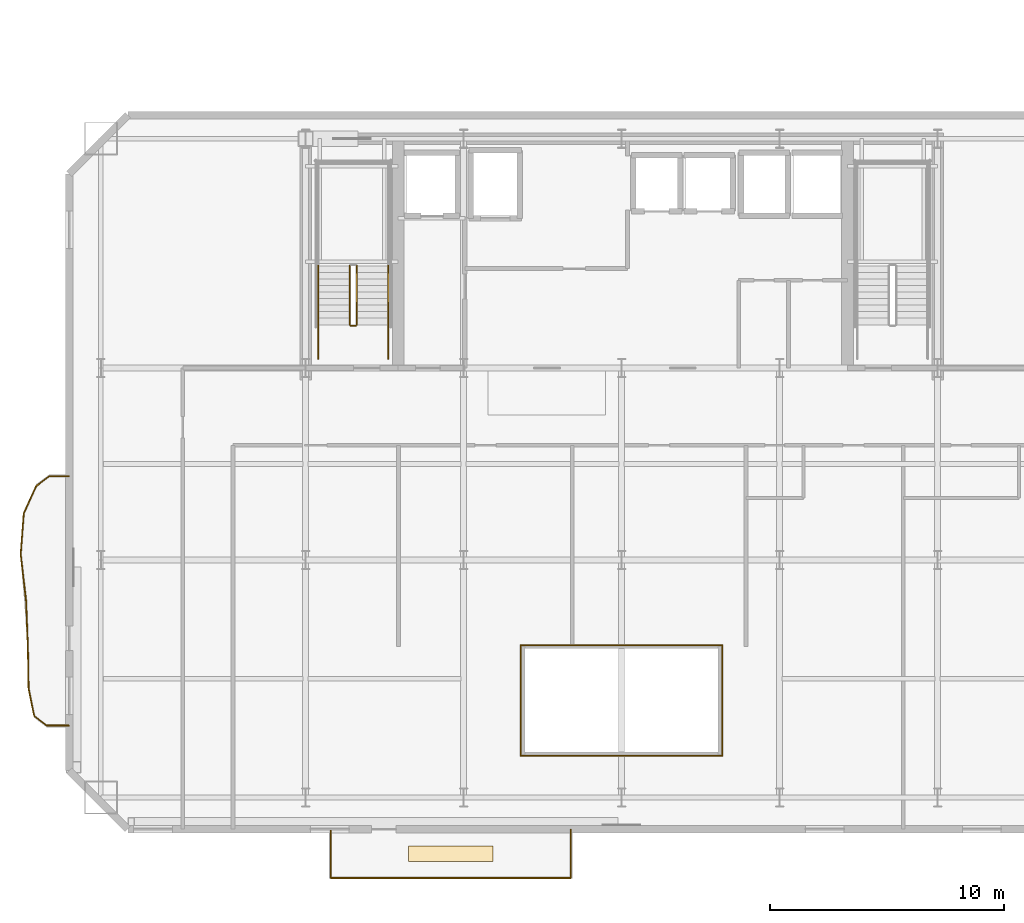
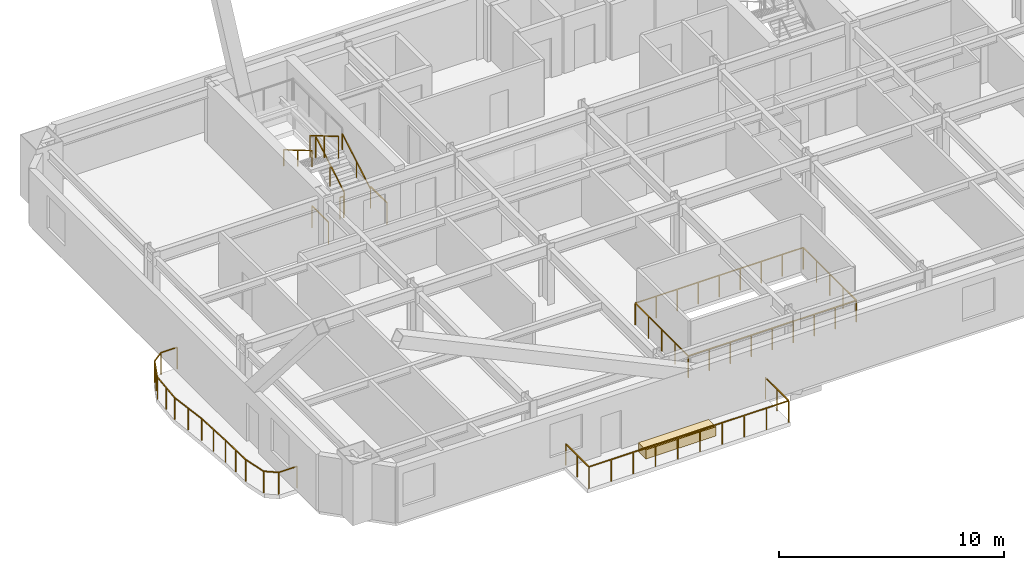
# One storey, part 11 of 15: 24 railings, 1 covering.
"""IFC4 building model written with IfcOpenShell, lengths in metres."""

import ifcopenshell
import ifcopenshell.guid

model = None  # the IFC model being written
_history = None  # IfcOwnerHistory: only IFC2X3 demands one
_inside = {}  # id of a spatial element -> (the spatial element, [elements in it])
_under = {}  # id of a project, library or spatial element -> (it, [spatial elements below it])
_declared = {}  # id of a project -> (the project, [libraries it declares])
_typed = {}  # id of a type object -> (the type object, [elements of that type])
_made_of = {}  # id of a material, layer set ... -> (it, [elements and type objects made of it])


def new_model(schema):
    """Start an empty IFC model of exactly this schema.

    Asked for "IFC4X3", IfcOpenShell would pick the latest addendum, in which some entities
    have other attributes; the version numbers below select the first issue.
    IFC2X3 requires an IfcOwnerHistory on every rooted entity: one is made here for all.
    """
    global model, _history
    if schema == "IFC4X3":
        model = ifcopenshell.file(schema_version=(4, 3, 0, 0))
    else:
        model = ifcopenshell.file(schema=schema)
    _inside.clear()
    _under.clear()
    _declared.clear()
    _typed.clear()
    _made_of.clear()
    _history = None
    if model.schema == "IFC2X3":
        org = make("IfcOrganization", Name="unknown")
        user = make(
            "IfcPersonAndOrganization",
            ThePerson=make("IfcPerson", FamilyName="unknown"),
            TheOrganization=org,
        )
        app = make(
            "IfcApplication",
            ApplicationDeveloper=org,
            Version="unknown",
            ApplicationFullName="unknown",
            ApplicationIdentifier="unknown",
        )
        _history = make(
            "IfcOwnerHistory",
            OwningUser=user,
            OwningApplication=app,
            ChangeAction="ADDED",
            CreationDate=0,
        )
    return model


def make(cls, **values):
    """One entity of the class cls with the attributes given. An attribute that is None is left unset."""
    return model.create_entity(
        cls, **{name: value for name, value in values.items() if value is not None}
    )


def rooted(cls, **values):
    """An entity with a GlobalId (a new one), such as an element, a storey or a relation."""
    return make(cls, GlobalId=ifcopenshell.guid.new(), OwnerHistory=_history, **values)


def si_unit(unit_type, name, prefix=None):
    """IfcSIUnit, for example si_unit("LENGTHUNIT", "METRE", prefix="MILLI")."""
    return make("IfcSIUnit", UnitType=unit_type, Prefix=prefix, Name=name)


def assignment(units):
    """IfcUnitAssignment: the units of a project."""
    return None if units is None else make("IfcUnitAssignment", Units=units)


def point(xyz):
    """IfcCartesianPoint."""
    return None if xyz is None else make("IfcCartesianPoint", Coordinates=xyz)


def direction(xyz):
    """IfcDirection."""
    return None if xyz is None else make("IfcDirection", DirectionRatios=xyz)


def frame(location, z_axis=None, x_axis=None):
    """IfcAxis2Placement3D, a coordinate frame: its origin and axes. An axis left out is left unset."""
    return make(
        "IfcAxis2Placement3D",
        Location=point(location),
        Axis=direction(z_axis),
        RefDirection=direction(x_axis),
    )


def frame_2d(location, x_axis=None):
    """IfcAxis2Placement2D, a coordinate frame in the plane: its origin and x axis."""
    return make(
        "IfcAxis2Placement2D", Location=point(location), RefDirection=direction(x_axis)
    )


def origin():
    """The frame at (0, 0, 0) with its axes left unset."""
    return frame((0.0, 0.0, 0.0))


def origin_2d():
    """The frame at (0, 0) in the plane with its x axis left unset."""
    return frame_2d((0.0, 0.0))


def place(relative_to, where):
    """IfcLocalPlacement: puts the frame where relative to a parent placement (None: the world)."""
    return make(
        "IfcLocalPlacement", PlacementRelTo=relative_to, RelativePlacement=where
    )


def context(
    kind, dimensions, precision=None, world=None, true_north=None, identifier=None
):
    """IfcGeometricRepresentationContext, for example the 3D "Model" context."""
    return make(
        "IfcGeometricRepresentationContext",
        ContextIdentifier=identifier,
        ContextType=kind,
        CoordinateSpaceDimension=dimensions,
        Precision=precision,
        WorldCoordinateSystem=world,
        TrueNorth=true_north,
    )


def subcontext(parent, identifier, kind, view, scale=None):
    """IfcGeometricRepresentationSubContext, for example "Body" below "Model"."""
    return make(
        "IfcGeometricRepresentationSubContext",
        ContextIdentifier=identifier,
        ContextType=kind,
        ParentContext=parent,
        TargetScale=scale,
        TargetView=view,
    )


def project(units=None, contexts=None):
    """IfcProject with its units and contexts."""
    return rooted(
        "IfcProject",
        Name="project",
        RepresentationContexts=contexts,
        UnitsInContext=assignment(units),
    )


def spatial(cls, under=None, at=None, **own):
    """A site, building, storey or space (cls), placed at a placement, below another one or the project."""
    s = rooted(cls, ObjectPlacement=at, **own)
    if under is not None:
        _under.setdefault(under.id(), (under, []))[1].append(s)
    return s


def profile(cls, at=None, kind="AREA", **sizes):
    """A parametric profile (cls). Its sizes go by their IFC names, for example OverallWidth=200.0."""
    return make(cls, ProfileType=kind, Position=at, **sizes)


def rectangle(**sizes):
    """IfcRectangleProfileDef."""
    return profile("IfcRectangleProfileDef", **sizes)


def extrude(swept, where, along, depth):
    """IfcExtrudedAreaSolid: the profile swept, set in the frame where, extruded along a direction by depth."""
    return make(
        "IfcExtrudedAreaSolid",
        SweptArea=swept,
        Position=where,
        ExtrudedDirection=direction(along),
        Depth=depth,
    )


def shape(context_of_items, identifier, shape_type, items):
    """IfcShapeRepresentation: the items that make up one representation, for example the "Body"."""
    return make(
        "IfcShapeRepresentation",
        ContextOfItems=context_of_items,
        RepresentationIdentifier=identifier,
        RepresentationType=shape_type,
        Items=items,
    )


def material(Name=None, Category=None):
    """IfcMaterial."""
    return make("IfcMaterial", Name=Name, Category=Category)


def layer(
    of_material, thickness, ventilated=None, Name=None, Category=None, Priority=None
):
    """IfcMaterialLayer: one layer of a wall or slab, of a material (None: an air gap)."""
    return make(
        "IfcMaterialLayer",
        Material=of_material,
        LayerThickness=thickness,
        IsVentilated=ventilated,
        Name=Name,
        Category=Category,
        Priority=Priority,
    )


def layer_set(layers, Name=None):
    """IfcMaterialLayerSet."""
    return make("IfcMaterialLayerSet", MaterialLayers=layers, LayerSetName=Name)


def made_of(thing, what):
    """Note that an element or type object is made of a material, layer set ...; save() writes the relation."""
    if what is not None:
        _made_of.setdefault(what.id(), (what, []))[1].append(thing)
    return thing


def type_object(cls, material=None, **own):
    """A type object (cls), such as IfcWallType, which elements share."""
    return made_of(rooted(cls, **own), material)


def element(
    cls,
    number,
    at=None,
    inside=None,
    cuts=None,
    type_object=None,
    material=None,
    context=None,
    identifier="Body",
    shape_type=None,
    held_by="IfcProductDefinitionShape",
    body=None,
    shapes=None,
    **own,
):
    """One element of the class cls, such as IfcWall. Its Tag is "e" and its number.

    at: its placement. inside: the storey or other place that contains it. cuts: it is an
    opening in that element (IfcRelVoidsElement). A single representation is given by context,
    identifier, shape_type and body (its items); several are given by shapes. held_by: the class
    of the entity that holds the representations. save() writes the other relations.
    """
    e = rooted(cls, Tag="e%d" % number, ObjectPlacement=at, **own)
    if body is not None:
        shapes = [shape(context, identifier, shape_type, body)]
    if shapes is not None:
        e.Representation = make(held_by, Representations=shapes)
    if inside is not None:
        _inside.setdefault(inside.id(), (inside, []))[1].append(e)
    if cuts is not None:
        rooted(
            "IfcRelVoidsElement", RelatingBuildingElement=cuts, RelatedOpeningElement=e
        )
    if type_object is not None:
        _typed.setdefault(type_object.id(), (type_object, []))[1].append(e)
    return made_of(e, material)


def aggregate(whole, parts):
    """IfcRelAggregates: a whole, such as a stair, and the parts it consists of."""
    return rooted("IfcRelAggregates", RelatingObject=whole, RelatedObjects=parts)


def save(model, path):
    """Write the relations noted so far, then the file.

    IfcRelAggregates (storeys below a building ...), IfcRelContainedInSpatialStructure (elements
    in a storey), IfcRelDefinesByType, IfcRelAssociatesMaterial and IfcRelDeclares: one each for
    every whole, place, type object, material and project.
    """
    for whole, parts in _under.values():
        aggregate(whole, parts)
    for where, things in _inside.values():
        rooted(
            "IfcRelContainedInSpatialStructure",
            RelatedElements=things,
            RelatingStructure=where,
        )
    for kind, things in _typed.values():
        rooted("IfcRelDefinesByType", RelatedObjects=things, RelatingType=kind)
    for what, things in _made_of.values():
        rooted("IfcRelAssociatesMaterial", RelatedObjects=things, RelatingMaterial=what)
    for by, libraries in _declared.values():
        rooted("IfcRelDeclares", RelatingContext=by, RelatedDefinitions=libraries)
    model.write(path)


model = new_model("IFC4")

# Units and contexts
model_context = context("Model", 3, precision=1e-05, world=origin(), true_north=direction((0.0, 1.0)))
body_context = subcontext(model_context, "Body", "Model", "MODEL_VIEW")
ifc_project = project(units=[si_unit("LENGTHUNIT", "METRE"), si_unit("AREAUNIT", "SQUARE_METRE"), si_unit("VOLUMEUNIT", "CUBIC_METRE"), si_unit("PLANEANGLEUNIT", "RADIAN"), si_unit("MASSUNIT", "GRAM", prefix="KILO")], contexts=[model_context])

# Site, building, storey
site_placement = place(None, origin())
site = spatial("IfcSite", under=ifc_project, at=site_placement, CompositionType="ELEMENT")
building_placement = place(site_placement, origin())
building = spatial("IfcBuilding", under=site, at=building_placement, Name="Haevon Station Towers", CompositionType="ELEMENT")
storey_placement = place(building_placement, frame((0.0, 0.0, 103.199951171875)))
storey = spatial("IfcBuildingStorey", under=building, at=storey_placement, Name="L27", CompositionType="ELEMENT", Elevation=103.199951171875)

# Railings
ifc_material_1 = material(Name="Steel S355", Category="steel")
railing_type_1 = type_object("IfcRailingType", Name="BAL-ATR1200", PredefinedType="BALUSTRADE", material=ifc_material_1)
railing_1_placement = place(storey_placement, frame((33.19482421875, 21.642333984375, 0.0)))
element("IfcRailing", 1, at=railing_1_placement, inside=storey, type_object=railing_type_1, Name="L27 Atrium Void Balustrade 1", PredefinedType="BALUSTRADE", context=body_context, shape_type="SweptSolid", body=[
    extrude(rectangle(XDim=0.048095703125, YDim=0.048095703125, at=origin_2d()), frame((0.0, 0.0, 1.17578125), z_axis=(1.0, 0.0, 0.0), x_axis=(0.0, 1.0, 0.0)), (0.0, 0.0, 1.0), 8.6103515625),
    extrude(rectangle(XDim=0.0419921875, YDim=0.0419921875, at=origin_2d()), origin(), (0.0, 0.0, 1.0), 1.15185546875),
    extrude(rectangle(XDim=0.0419921875, YDim=0.0419921875, at=origin_2d()), frame((1.076171875, 0.0, 0.0)), (0.0, 0.0, 1.0), 1.15185546875),
    extrude(rectangle(XDim=0.0419921875, YDim=0.0419921875, at=origin_2d()), frame((2.152587890625, 0.0, 0.0)), (0.0, 0.0, 1.0), 1.15185546875),
    extrude(rectangle(XDim=0.0419921875, YDim=0.0419921875, at=origin_2d()), frame((3.22900390625, 0.0, 0.0)), (0.0, 0.0, 1.0), 1.15185546875),
    extrude(rectangle(XDim=0.0419921875, YDim=0.0419921875, at=origin_2d()), frame((4.30517578125, 0.0, 0.0)), (0.0, 0.0, 1.0), 1.15185546875),
    extrude(rectangle(XDim=0.0419921875, YDim=0.0419921875, at=origin_2d()), frame((5.38134765625, 0.0, 0.0)), (0.0, 0.0, 1.0), 1.15185546875),
    extrude(rectangle(XDim=0.0419921875, YDim=0.0419921875, at=origin_2d()), frame((6.457763671875, 0.0, 0.0)), (0.0, 0.0, 1.0), 1.15185546875),
    extrude(rectangle(XDim=0.0419921875, YDim=0.0419921875, at=origin_2d()), frame((7.5341796875, 0.0, 0.0)), (0.0, 0.0, 1.0), 1.15185546875),
    extrude(rectangle(XDim=0.0419921875, YDim=0.0419921875, at=origin_2d()), frame((8.6103515625, 0.0, 0.0)), (0.0, 0.0, 1.0), 1.15185546875),
])
railing_2_placement = place(storey_placement, frame((41.80517578125, 21.642333984375, 0.0)))
element("IfcRailing", 2, at=railing_2_placement, inside=storey, type_object=railing_type_1, Name="L27 Atrium Void Balustrade 2", PredefinedType="BALUSTRADE", context=body_context, shape_type="SweptSolid", body=[
    extrude(rectangle(XDim=0.048095703125, YDim=0.048095703125, at=origin_2d()), frame((0.0, 0.0, 1.17578125), z_axis=(0.0, 1.0, 0.0), x_axis=(-1.0, 0.0, 0.0)), (0.0, 0.0, 1.0), 4.71533203125),
    extrude(rectangle(XDim=0.0419921875, YDim=0.0419921875, at=origin_2d()), origin(), (0.0, 0.0, 1.0), 1.15185546875),
    extrude(rectangle(XDim=0.0419921875, YDim=0.0419921875, at=origin_2d()), frame((0.0, 1.1787109375, 0.0)), (0.0, 0.0, 1.0), 1.15185546875),
    extrude(rectangle(XDim=0.0419921875, YDim=0.0419921875, at=origin_2d()), frame((0.0, 2.357666015625, 0.0)), (0.0, 0.0, 1.0), 1.15185546875),
    extrude(rectangle(XDim=0.0419921875, YDim=0.0419921875, at=origin_2d()), frame((0.0, 3.53662109375, 0.0)), (0.0, 0.0, 1.0), 1.15185546875),
    extrude(rectangle(XDim=0.0419921875, YDim=0.0419921875, at=origin_2d()), frame((0.0, 4.71533203125, 0.0)), (0.0, 0.0, 1.0), 1.15185546875),
])
railing_3_placement = place(storey_placement, frame((41.80517578125, 26.357666015625, 0.0)))
element("IfcRailing", 3, at=railing_3_placement, inside=storey, type_object=railing_type_1, Name="L27 Atrium Void Balustrade 3", PredefinedType="BALUSTRADE", context=body_context, shape_type="SweptSolid", body=[
    extrude(rectangle(XDim=0.048095703125, YDim=0.048095703125, at=origin_2d()), frame((0.0, 0.0, 1.17578125), z_axis=(-1.0, 0.0, 0.0), x_axis=(0.0, -1.0, 0.0)), (0.0, 0.0, 1.0), 8.6103515625),
    extrude(rectangle(XDim=0.0419921875, YDim=0.0419921875, at=origin_2d()), origin(), (0.0, 0.0, 1.0), 1.15185546875),
    extrude(rectangle(XDim=0.0419921875, YDim=0.0419921875, at=origin_2d()), frame((-1.076171875, 0.0, 0.0)), (0.0, 0.0, 1.0), 1.15185546875),
    extrude(rectangle(XDim=0.0419921875, YDim=0.0419921875, at=origin_2d()), frame((-2.152587890625, 0.0, 0.0)), (0.0, 0.0, 1.0), 1.15185546875),
    extrude(rectangle(XDim=0.0419921875, YDim=0.0419921875, at=origin_2d()), frame((-3.22900390625, 0.0, 0.0)), (0.0, 0.0, 1.0), 1.15185546875),
    extrude(rectangle(XDim=0.0419921875, YDim=0.0419921875, at=origin_2d()), frame((-4.30517578125, 0.0, 0.0)), (0.0, 0.0, 1.0), 1.15185546875),
    extrude(rectangle(XDim=0.0419921875, YDim=0.0419921875, at=origin_2d()), frame((-5.38134765625, 0.0, 0.0)), (0.0, 0.0, 1.0), 1.15185546875),
    extrude(rectangle(XDim=0.0419921875, YDim=0.0419921875, at=origin_2d()), frame((-6.457763671875, 0.0, 0.0)), (0.0, 0.0, 1.0), 1.15185546875),
    extrude(rectangle(XDim=0.0419921875, YDim=0.0419921875, at=origin_2d()), frame((-7.5341796875, 0.0, 0.0)), (0.0, 0.0, 1.0), 1.15185546875),
    extrude(rectangle(XDim=0.0419921875, YDim=0.0419921875, at=origin_2d()), frame((-8.6103515625, 0.0, 0.0)), (0.0, 0.0, 1.0), 1.15185546875),
])
railing_4_placement = place(storey_placement, frame((33.19482421875, 26.357666015625, 0.0)))
element("IfcRailing", 4, at=railing_4_placement, inside=storey, type_object=railing_type_1, Name="L27 Atrium Void Balustrade 4", PredefinedType="BALUSTRADE", context=body_context, shape_type="SweptSolid", body=[
    extrude(rectangle(XDim=0.048095703125, YDim=0.048095703125, at=origin_2d()), frame((0.0, 0.0, 1.17578125), z_axis=(0.0, -1.0, 0.0), x_axis=(1.0, 0.0, 0.0)), (0.0, 0.0, 1.0), 4.71533203125),
    extrude(rectangle(XDim=0.0419921875, YDim=0.0419921875, at=origin_2d()), origin(), (0.0, 0.0, 1.0), 1.15185546875),
    extrude(rectangle(XDim=0.0419921875, YDim=0.0419921875, at=origin_2d()), frame((0.0, -1.1787109375, 0.0)), (0.0, 0.0, 1.0), 1.15185546875),
    extrude(rectangle(XDim=0.0419921875, YDim=0.0419921875, at=origin_2d()), frame((0.0, -2.357666015625, 0.0)), (0.0, 0.0, 1.0), 1.15185546875),
    extrude(rectangle(XDim=0.0419921875, YDim=0.0419921875, at=origin_2d()), frame((0.0, -3.53662109375, 0.0)), (0.0, 0.0, 1.0), 1.15185546875),
    extrude(rectangle(XDim=0.0419921875, YDim=0.0419921875, at=origin_2d()), frame((0.0, -4.71533203125, 0.0)), (0.0, 0.0, 1.0), 1.15185546875),
])
railing_type_2 = type_object("IfcRailingType", Name="GRD-EXT1200", PredefinedType="GUARDRAIL", material=ifc_material_1)
railing_5_placement = place(storey_placement, frame((13.87646484375, 33.572265625, 0.0)))
element("IfcRailing", 5, at=railing_5_placement, inside=storey, type_object=railing_type_2, Name="L27 Perimeter Guardrail 1", PredefinedType="GUARDRAIL", context=body_context, shape_type="SweptSolid", body=[
    extrude(rectangle(XDim=0.048095703125, YDim=0.048095703125, at=origin_2d()), frame((0.0, 0.0, 1.17578125), z_axis=(-0.999997283225, -0.002330995998, 0.0), x_axis=(0.002330995998, -0.999997283225, 0.0)), (0.0, 0.0, 1.0), 0.837890625),
    extrude(rectangle(XDim=0.0419921875, YDim=0.0419921875, at=origin_2d()), origin(), (0.0, 0.0, 1.0), 1.15185546875),
    extrude(rectangle(XDim=0.0419921875, YDim=0.0419921875, at=origin_2d()), frame((-0.837890625, -0.001953125, 0.0)), (0.0, 0.0, 1.0), 1.15185546875),
])
railing_6_placement = place(storey_placement, frame((13.03857421875, 33.5703125, 0.0)))
element("IfcRailing", 6, at=railing_6_placement, inside=storey, type_object=railing_type_2, Name="L27 Perimeter Guardrail 2", PredefinedType="GUARDRAIL", context=body_context, shape_type="SweptSolid", body=[
    extrude(rectangle(XDim=0.048095703125, YDim=0.048095703125, at=origin_2d()), frame((0.0, 0.0, 1.17578125), z_axis=(-0.801952764523, -0.597387448374, 0.0), x_axis=(0.597387448374, -0.801952764523, 0.0)), (0.0, 0.0, 1.0), 0.688720703125),
    extrude(rectangle(XDim=0.0419921875, YDim=0.0419921875, at=origin_2d()), origin(), (0.0, 0.0, 1.0), 1.15185546875),
    extrude(rectangle(XDim=0.0419921875, YDim=0.0419921875, at=origin_2d()), frame((-0.55224609375, -0.411376953125, 0.0)), (0.0, 0.0, 1.0), 1.15185546875),
])
railing_7_placement = place(storey_placement, frame((12.486328125, 33.158935546875, 0.0)))
element("IfcRailing", 7, at=railing_7_placement, inside=storey, type_object=railing_type_2, Name="L27 Perimeter Guardrail 3", PredefinedType="GUARDRAIL", context=body_context, shape_type="SweptSolid", body=[
    extrude(rectangle(XDim=0.048095703125, YDim=0.048095703125, at=origin_2d()), frame((0.0, 0.0, 1.17578125), z_axis=(-0.413759985139, -0.910386003131, 0.0), x_axis=(0.910386003131, -0.413759985139, 0.0)), (0.0, 0.0, 1.0), 1.28466796875),
    extrude(rectangle(XDim=0.0419921875, YDim=0.0419921875, at=origin_2d()), origin(), (0.0, 0.0, 1.0), 1.15185546875),
    extrude(rectangle(XDim=0.0419921875, YDim=0.0419921875, at=origin_2d()), frame((-0.265625, -0.584716796875, 0.0)), (0.0, 0.0, 1.0), 1.15185546875),
    extrude(rectangle(XDim=0.0419921875, YDim=0.0419921875, at=origin_2d()), frame((-0.531494140625, -1.16943359375, 0.0)), (0.0, 0.0, 1.0), 1.15185546875),
])
railing_8_placement = place(storey_placement, frame((11.954833984375, 31.989501953125, 0.0)))
element("IfcRailing", 8, at=railing_8_placement, inside=storey, type_object=railing_type_2, Name="L27 Perimeter Guardrail 4", PredefinedType="GUARDRAIL", context=body_context, shape_type="SweptSolid", body=[
    extrude(rectangle(XDim=0.048095703125, YDim=0.048095703125, at=origin_2d()), frame((0.0, 0.0, 1.17578125), z_axis=(-0.074672193364, -0.997208134513, 0.0), x_axis=(0.997208134513, -0.074672193364, 0.0)), (0.0, 0.0, 1.0), 1.75244140625),
    extrude(rectangle(XDim=0.0419921875, YDim=0.0419921875, at=origin_2d()), origin(), (0.0, 0.0, 1.0), 1.15185546875),
    extrude(rectangle(XDim=0.0419921875, YDim=0.0419921875, at=origin_2d()), frame((-0.0654296875, -0.873779296875, 0.0)), (0.0, 0.0, 1.0), 1.15185546875),
    extrude(rectangle(XDim=0.0419921875, YDim=0.0419921875, at=origin_2d()), frame((-0.130859375, -1.74755859375, 0.0)), (0.0, 0.0, 1.0), 1.15185546875),
])
railing_9_placement = place(storey_placement, frame((11.823974609375, 30.241943359375, 0.0)))
element("IfcRailing", 9, at=railing_9_placement, inside=storey, type_object=railing_type_2, Name="L27 Perimeter Guardrail 5", PredefinedType="GUARDRAIL", context=body_context, shape_type="SweptSolid", body=[
    extrude(rectangle(XDim=0.048095703125, YDim=0.048095703125, at=origin_2d()), frame((0.0, 0.0, 1.17578125), z_axis=(0.114933725314, -0.993373161901, 0.0), x_axis=(0.993373161901, 0.114933725314, 0.0)), (0.0, 0.0, 1.0), 2.005126953125),
    extrude(rectangle(XDim=0.0419921875, YDim=0.0419921875, at=origin_2d()), origin(), (0.0, 0.0, 1.0), 1.15185546875),
    extrude(rectangle(XDim=0.0419921875, YDim=0.0419921875, at=origin_2d()), frame((0.115234375, -0.99609375, 0.0)), (0.0, 0.0, 1.0), 1.15185546875),
    extrude(rectangle(XDim=0.0419921875, YDim=0.0419921875, at=origin_2d()), frame((0.23046875, -1.991943359375, 0.0)), (0.0, 0.0, 1.0), 1.15185546875),
])
railing_10_placement = place(storey_placement, frame((12.054443359375, 28.25, 0.0)))
element("IfcRailing", 10, at=railing_10_placement, inside=storey, type_object=railing_type_2, Name="L27 Perimeter Guardrail 6", PredefinedType="GUARDRAIL", context=body_context, shape_type="SweptSolid", body=[
    extrude(rectangle(XDim=0.048095703125, YDim=0.048095703125, at=origin_2d()), frame((0.0, 0.0, 1.17578125), z_axis=(0.038150453475, -0.999272006463, 0.0), x_axis=(0.999272006463, 0.038150453475, 0.0)), (0.0, 0.0, 1.0), 1.990234375),
    extrude(rectangle(XDim=0.0419921875, YDim=0.0419921875, at=origin_2d()), origin(), (0.0, 0.0, 1.0), 1.15185546875),
    extrude(rectangle(XDim=0.0419921875, YDim=0.0419921875, at=origin_2d()), frame((0.0380859375, -0.994384765625, 0.0)), (0.0, 0.0, 1.0), 1.15185546875),
    extrude(rectangle(XDim=0.0419921875, YDim=0.0419921875, at=origin_2d()), frame((0.075927734375, -1.98876953125, 0.0)), (0.0, 0.0, 1.0), 1.15185546875),
])
railing_11_placement = place(storey_placement, frame((12.13037109375, 26.26123046875, 0.0)))
element("IfcRailing", 11, at=railing_11_placement, inside=storey, type_object=railing_type_2, Name="L27 Perimeter Guardrail 7", PredefinedType="GUARDRAIL", context=body_context, shape_type="SweptSolid", body=[
    extrude(rectangle(XDim=0.048095703125, YDim=0.048095703125, at=origin_2d()), frame((0.0, 0.0, 1.17578125), z_axis=(0.017572959065, -0.999845583633, 0.0), x_axis=(0.999845583633, 0.017572959065, 0.0)), (0.0, 0.0, 1.0), 1.75048828125),
    extrude(rectangle(XDim=0.0419921875, YDim=0.0419921875, at=origin_2d()), origin(), (0.0, 0.0, 1.0), 1.15185546875),
    extrude(rectangle(XDim=0.0419921875, YDim=0.0419921875, at=origin_2d()), frame((0.015380859375, -0.875, 0.0)), (0.0, 0.0, 1.0), 1.15185546875),
    extrude(rectangle(XDim=0.0419921875, YDim=0.0419921875, at=origin_2d()), frame((0.03076171875, -1.750244140625, 0.0)), (0.0, 0.0, 1.0), 1.15185546875),
])
railing_12_placement = place(storey_placement, frame((12.1611328125, 24.510986328125, 0.0)))
element("IfcRailing", 12, at=railing_12_placement, inside=storey, type_object=railing_type_2, Name="L27 Perimeter Guardrail 8", PredefinedType="GUARDRAIL", context=body_context, shape_type="SweptSolid", body=[
    extrude(rectangle(XDim=0.048095703125, YDim=0.048095703125, at=origin_2d()), frame((0.0, 0.0, 1.17578125), z_axis=(0.199771721582, -0.979842466551, 0.0), x_axis=(0.979842466551, 0.199771721582, 0.0)), (0.0, 0.0, 1.0), 1.194091796875),
    extrude(rectangle(XDim=0.0419921875, YDim=0.0419921875, at=origin_2d()), origin(), (0.0, 0.0, 1.0), 1.15185546875),
    extrude(rectangle(XDim=0.0419921875, YDim=0.0419921875, at=origin_2d()), frame((0.238525390625, -1.169921875, 0.0)), (0.0, 0.0, 1.0), 1.15185546875),
])
railing_13_placement = place(storey_placement, frame((12.399658203125, 23.341064453125, 0.0)))
element("IfcRailing", 13, at=railing_13_placement, inside=storey, type_object=railing_type_2, Name="L27 Perimeter Guardrail 9", PredefinedType="GUARDRAIL", context=body_context, shape_type="SweptSolid", body=[
    extrude(rectangle(XDim=0.048095703125, YDim=0.048095703125, at=origin_2d()), frame((0.0, 0.0, 1.17578125), z_axis=(0.79178726734, -0.61079695749, 0.0), x_axis=(0.61079695749, 0.79178726734, 0.0)), (0.0, 0.0, 1.0), 0.673095703125),
    extrude(rectangle(XDim=0.0419921875, YDim=0.0419921875, at=origin_2d()), origin(), (0.0, 0.0, 1.0), 1.15185546875),
    extrude(rectangle(XDim=0.0419921875, YDim=0.0419921875, at=origin_2d()), frame((0.532958984375, -0.4111328125, 0.0)), (0.0, 0.0, 1.0), 1.15185546875),
])
railing_14_placement = place(storey_placement, frame((12.9326171875, 22.929931640625, 0.0)))
element("IfcRailing", 14, at=railing_14_placement, inside=storey, type_object=railing_type_2, Name="L27 Perimeter Guardrail 10", PredefinedType="GUARDRAIL", context=body_context, shape_type="SweptSolid", body=[
    extrude(rectangle(XDim=0.048095703125, YDim=0.048095703125, at=origin_2d()), frame((0.0, 0.0, 1.17578125), z_axis=(0.999997290248, -0.002327981276, 0.0), x_axis=(0.002327981276, 0.999997290248, 0.0)), (0.0, 0.0, 1.0), 0.94384765625),
    extrude(rectangle(XDim=0.0419921875, YDim=0.0419921875, at=origin_2d()), origin(), (0.0, 0.0, 1.0), 1.15185546875),
    extrude(rectangle(XDim=0.0419921875, YDim=0.0419921875, at=origin_2d()), frame((0.94384765625, -0.002197265625, 0.0)), (0.0, 0.0, 1.0), 1.15185546875),
])
railing_15_placement = place(storey_placement, frame((25.078369140625, 16.415771484375, 0.0)))
element("IfcRailing", 15, at=railing_15_placement, inside=storey, type_object=railing_type_2, Name="L27 Perimeter Guardrail 1", PredefinedType="GUARDRAIL", context=body_context, shape_type="SweptSolid", body=[
    extrude(rectangle(XDim=0.048095703125, YDim=0.048095703125, at=origin_2d()), frame((0.0, 0.0, 1.17578125), z_axis=(1.0, 0.0, 0.0), x_axis=(0.0, 1.0, 0.0)), (0.0, 0.0, 1.0), 10.2431640625),
    extrude(rectangle(XDim=0.0419921875, YDim=0.0419921875, at=origin_2d()), origin(), (0.0, 0.0, 1.0), 1.15185546875),
    extrude(rectangle(XDim=0.0419921875, YDim=0.0419921875, at=origin_2d()), frame((1.13818359375, 0.0, 0.0)), (0.0, 0.0, 1.0), 1.15185546875),
    extrude(rectangle(XDim=0.0419921875, YDim=0.0419921875, at=origin_2d()), frame((2.2763671875, 0.0, 0.0)), (0.0, 0.0, 1.0), 1.15185546875),
    extrude(rectangle(XDim=0.0419921875, YDim=0.0419921875, at=origin_2d()), frame((3.414306640625, 0.0, 0.0)), (0.0, 0.0, 1.0), 1.15185546875),
    extrude(rectangle(XDim=0.0419921875, YDim=0.0419921875, at=origin_2d()), frame((4.552490234375, 0.0, 0.0)), (0.0, 0.0, 1.0), 1.15185546875),
    extrude(rectangle(XDim=0.0419921875, YDim=0.0419921875, at=origin_2d()), frame((5.690673828125, 0.0, 0.0)), (0.0, 0.0, 1.0), 1.15185546875),
    extrude(rectangle(XDim=0.0419921875, YDim=0.0419921875, at=origin_2d()), frame((6.828857421875, 0.0, 0.0)), (0.0, 0.0, 1.0), 1.15185546875),
    extrude(rectangle(XDim=0.0419921875, YDim=0.0419921875, at=origin_2d()), frame((7.966796875, 0.0, 0.0)), (0.0, 0.0, 1.0), 1.15185546875),
    extrude(rectangle(XDim=0.0419921875, YDim=0.0419921875, at=origin_2d()), frame((9.10498046875, 0.0, 0.0)), (0.0, 0.0, 1.0), 1.15185546875),
    extrude(rectangle(XDim=0.0419921875, YDim=0.0419921875, at=origin_2d()), frame((10.2431640625, 0.0, 0.0)), (0.0, 0.0, 1.0), 1.15185546875),
])
railing_16_placement = place(storey_placement, frame((35.321533203125, 16.415771484375, 0.0)))
element("IfcRailing", 16, at=railing_16_placement, inside=storey, type_object=railing_type_2, Name="L27 Perimeter Guardrail 2", PredefinedType="GUARDRAIL", context=body_context, shape_type="SweptSolid", body=[
    extrude(rectangle(XDim=0.048095703125, YDim=0.048095703125, at=origin_2d()), frame((0.0, 0.0, 1.17578125), z_axis=(0.0, 1.0, 0.0), x_axis=(-1.0, 0.0, 0.0)), (0.0, 0.0, 1.0), 2.0634765625),
    extrude(rectangle(XDim=0.0419921875, YDim=0.0419921875, at=origin_2d()), origin(), (0.0, 0.0, 1.0), 1.15185546875),
    extrude(rectangle(XDim=0.0419921875, YDim=0.0419921875, at=origin_2d()), frame((0.0, 1.03173828125, 0.0)), (0.0, 0.0, 1.0), 1.15185546875),
    extrude(rectangle(XDim=0.0419921875, YDim=0.0419921875, at=origin_2d()), frame((0.0, 2.0634765625, 0.0)), (0.0, 0.0, 1.0), 1.15185546875),
])
railing_17_placement = place(storey_placement, frame((25.078369140625, 18.479248046875, 0.0)))
element("IfcRailing", 17, at=railing_17_placement, inside=storey, type_object=railing_type_2, Name="L27 Perimeter Guardrail 3", PredefinedType="GUARDRAIL", context=body_context, shape_type="SweptSolid", body=[
    extrude(rectangle(XDim=0.048095703125, YDim=0.048095703125, at=origin_2d()), frame((0.0, 0.0, 1.17578125), z_axis=(0.0, -1.0, 0.0), x_axis=(1.0, 0.0, 0.0)), (0.0, 0.0, 1.0), 2.0634765625),
    extrude(rectangle(XDim=0.0419921875, YDim=0.0419921875, at=origin_2d()), origin(), (0.0, 0.0, 1.0), 1.15185546875),
    extrude(rectangle(XDim=0.0419921875, YDim=0.0419921875, at=origin_2d()), frame((0.0, -1.03173828125, 0.0)), (0.0, 0.0, 1.0), 1.15185546875),
    extrude(rectangle(XDim=0.0419921875, YDim=0.0419921875, at=origin_2d()), frame((0.0, -2.0634765625, 0.0)), (0.0, 0.0, 1.0), 1.15185546875),
])
railing_type_3 = type_object("IfcRailingType", Name="GRD-STR1200", PredefinedType="GUARDRAIL", material=ifc_material_1)
railing_18_placement = place(storey_placement, frame((26.179931640625, 40.050048828125, 0.1650390625)))
element("IfcRailing", 18, at=railing_18_placement, inside=storey, type_object=railing_type_3, Name="L27 ST1 Stair Guard 1", PredefinedType="GUARDRAIL", context=body_context, shape_type="SweptSolid", body=[
    extrude(rectangle(XDim=0.048095703125, YDim=0.048095703125, at=origin_2d()), frame((0.0, 0.0, 1.17578125), z_axis=(0.0, 0.86152411907, 0.507716645641), x_axis=(-1.0, 0.0, 0.0)), (0.0, 0.0, 1.0), 2.925048828125),
    extrude(rectangle(XDim=0.0419921875, YDim=0.0419921875, at=origin_2d()), origin(), (0.0, 0.0, 1.0), 1.15185546875),
    extrude(rectangle(XDim=0.0419921875, YDim=0.0419921875, at=origin_2d()), frame((0.0, 1.260009765625, 0.74267578125)), (0.0, 0.0, 1.0), 1.15185546875),
    extrude(rectangle(XDim=0.0419921875, YDim=0.0419921875, at=origin_2d()), frame((0.0, 2.52001953125, 1.485107421875)), (0.0, 0.0, 1.0), 1.15185546875),
])
railing_19_placement = place(storey_placement, frame((25.8798828125, 42.570068359375, 1.81494140625)))
element("IfcRailing", 19, at=railing_19_placement, inside=storey, type_object=railing_type_3, Name="L27 ST1 Stair Guard 6", PredefinedType="GUARDRAIL", context=body_context, shape_type="SweptSolid", body=[
    extrude(rectangle(XDim=0.048095703125, YDim=0.048095703125, at=origin_2d()), frame((0.0, 0.0, 1.17578125), z_axis=(0.0, -0.86152411907, 0.507716645641), x_axis=(1.0, 0.0, 0.0)), (0.0, 0.0, 1.0), 2.925048828125),
    extrude(rectangle(XDim=0.0419921875, YDim=0.0419921875, at=origin_2d()), origin(), (0.0, 0.0, 1.0), 1.15185546875),
    extrude(rectangle(XDim=0.0419921875, YDim=0.0419921875, at=origin_2d()), frame((0.0, -1.260009765625, 0.74267578125)), (0.0, 0.0, 1.0), 1.15185546875),
    extrude(rectangle(XDim=0.0419921875, YDim=0.0419921875, at=origin_2d()), frame((0.0, -2.52001953125, 1.485107421875)), (0.0, 0.0, 1.0), 1.15185546875),
])
railing_20_placement = place(storey_placement, frame((26.1298828125, 40.0, 0.0)))
element("IfcRailing", 20, at=railing_20_placement, inside=storey, type_object=railing_type_3, Name="L27 ST1 Stair Guard 7", PredefinedType="GUARDRAIL", context=body_context, shape_type="SweptSolid", body=[
    extrude(rectangle(XDim=0.048095703125, YDim=0.048095703125, at=origin_2d()), frame((0.0, 0.0, 1.17578125), z_axis=(-1.0, 0.0, 0.0), x_axis=(0.0, -1.0, 0.0)), (0.0, 0.0, 1.0), 0.199951171875),
    extrude(rectangle(XDim=0.0419921875, YDim=0.0419921875, at=origin_2d()), origin(), (0.0, 0.0, 1.0), 1.15185546875),
    extrude(rectangle(XDim=0.0419921875, YDim=0.0419921875, at=origin_2d()), frame((-0.199951171875, 0.0, 0.0)), (0.0, 0.0, 1.0), 1.15185546875),
])
for number, where, name in (
    (21, (27.530029296875, 38.60009765625, 0.0), "L27 ST1 Stair Guard 8"),
    (22, (24.530029296875, 38.60009765625, 0.0), "L27 ST1 Stair Guard 9"),
):
    element("IfcRailing", number, at=place(storey_placement, frame(where)), inside=storey, type_object=railing_type_3, Name=name, PredefinedType="GUARDRAIL", context=body_context, shape_type="SweptSolid", body=[
        extrude(rectangle(XDim=0.048095703125, YDim=0.048095703125, at=origin_2d()), frame((0.0, 0.0, 1.17578125), z_axis=(0.0, 1.0, 0.0), x_axis=(-1.0, 0.0, 0.0)), (0.0, 0.0, 1.0), 1.449951171875),
        extrude(rectangle(XDim=0.0419921875, YDim=0.0419921875, at=origin_2d()), origin(), (0.0, 0.0, 1.0), 1.15185546875),
        extrude(rectangle(XDim=0.0419921875, YDim=0.0419921875, at=origin_2d()), frame((0.0, 1.449951171875, 0.0)), (0.0, 0.0, 1.0), 1.15185546875),
    ])
railing_type_4 = type_object("IfcRailingType", Name="HND-STR900", PredefinedType="HANDRAIL", material=ifc_material_1)
railing_21_placement = place(storey_placement, frame((27.530029296875, 40.050048828125, 0.1650390625)))
element("IfcRailing", 23, at=railing_21_placement, inside=storey, type_object=railing_type_4, Name="L27 ST1 Stair Handrail 1", PredefinedType="HANDRAIL", context=body_context, shape_type="SweptSolid", body=[
    extrude(rectangle(XDim=0.048095703125, YDim=0.048095703125, at=origin_2d()), frame((0.0, 0.0, 0.8759765625), z_axis=(0.0, 0.86152411907, 0.507716645641), x_axis=(-1.0, 0.0, 0.0)), (0.0, 0.0, 1.0), 2.925048828125),
    extrude(rectangle(XDim=0.0419921875, YDim=0.0419921875, at=origin_2d()), origin(), (0.0, 0.0, 1.0), 0.851806640625),
    extrude(rectangle(XDim=0.0419921875, YDim=0.0419921875, at=origin_2d()), frame((0.0, 1.260009765625, 0.74267578125)), (0.0, 0.0, 1.0), 0.851806640625),
    extrude(rectangle(XDim=0.0419921875, YDim=0.0419921875, at=origin_2d()), frame((0.0, 2.52001953125, 1.485107421875)), (0.0, 0.0, 1.0), 0.851806640625),
])
railing_22_placement = place(storey_placement, frame((24.530029296875, 42.570068359375, 1.81494140625)))
element("IfcRailing", 24, at=railing_22_placement, inside=storey, type_object=railing_type_4, Name="L27 ST1 Stair Handrail 2", PredefinedType="HANDRAIL", context=body_context, shape_type="SweptSolid", body=[
    extrude(rectangle(XDim=0.048095703125, YDim=0.048095703125, at=origin_2d()), frame((0.0, 0.0, 0.8759765625), z_axis=(0.0, -0.86152411907, 0.507716645641), x_axis=(1.0, 0.0, 0.0)), (0.0, 0.0, 1.0), 2.925048828125),
    extrude(rectangle(XDim=0.0419921875, YDim=0.0419921875, at=origin_2d()), origin(), (0.0, 0.0, 1.0), 0.851806640625),
    extrude(rectangle(XDim=0.0419921875, YDim=0.0419921875, at=origin_2d()), frame((0.0, -1.260009765625, 0.74267578125)), (0.0, 0.0, 1.0), 0.851806640625),
    extrude(rectangle(XDim=0.0419921875, YDim=0.0419921875, at=origin_2d()), frame((0.0, -2.52001953125, 1.485107421875)), (0.0, 0.0, 1.0), 0.851806640625),
])

# Covering
ifc_material_2 = material(Name="Architectural planter GRC", Category="concrete")
ifc_layer = layer(ifc_material_2, 0.550048828125)
ifc_layer_set = layer_set([ifc_layer], Name="Architectural planter GRC")
covering_type = type_object("IfcCoveringType", Name="PLN-GRC550", PredefinedType="MOLDING", material=ifc_layer_set)
covering_placement = place(storey_placement, frame((30.199951171875, 17.447509765625, 0.0), z_axis=(0.0, 0.0, 1.0), x_axis=(1.0, 0.0, 0.0)))
element("IfcCovering", 25, at=covering_placement, inside=storey, type_object=covering_type, Name="Tower 1 L27 Facade Trough PLANTER", PredefinedType="MOLDING", context=body_context, shape_type="SweptSolid", body=[
    extrude(rectangle(XDim=3.60009765625, YDim=0.64990234375, at=origin_2d()), origin(), (0.0, 0.0, 1.0), 0.5),
])

save(model, "model.ifc")
